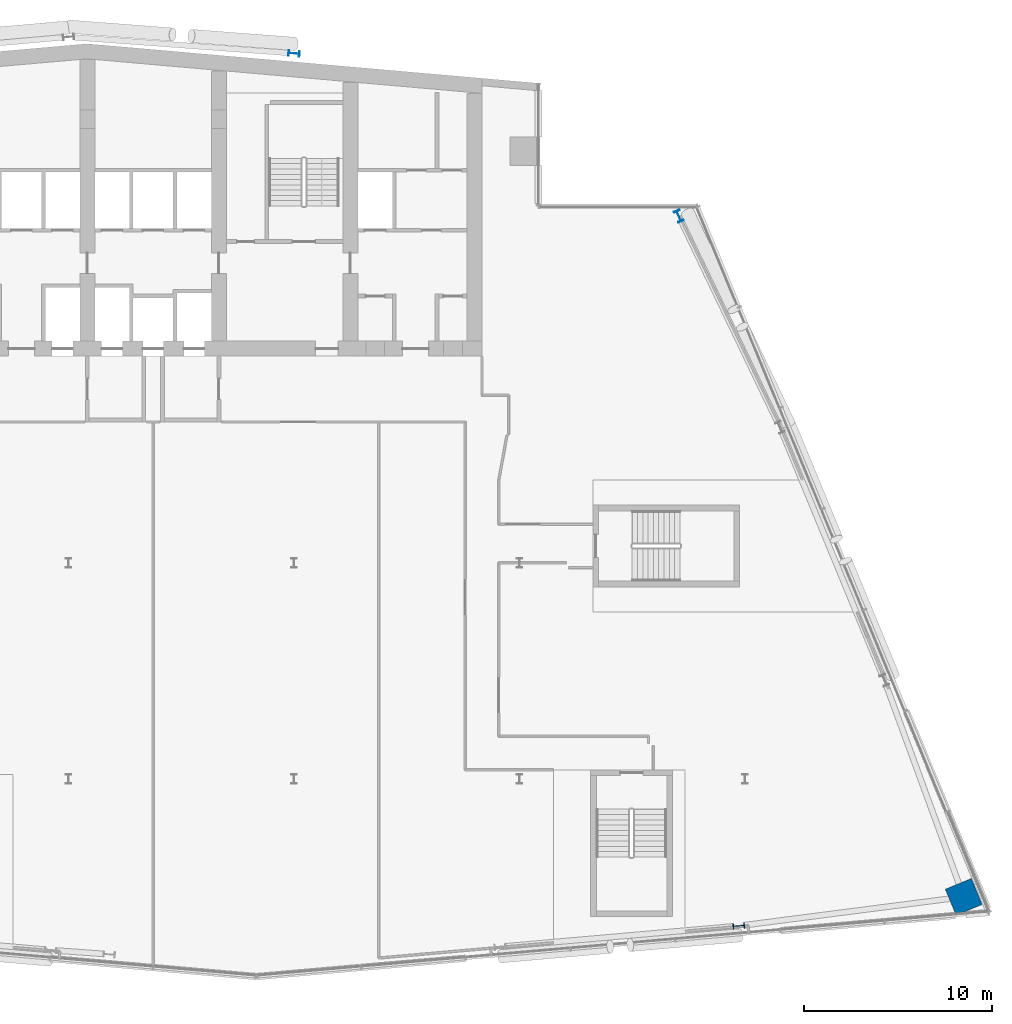
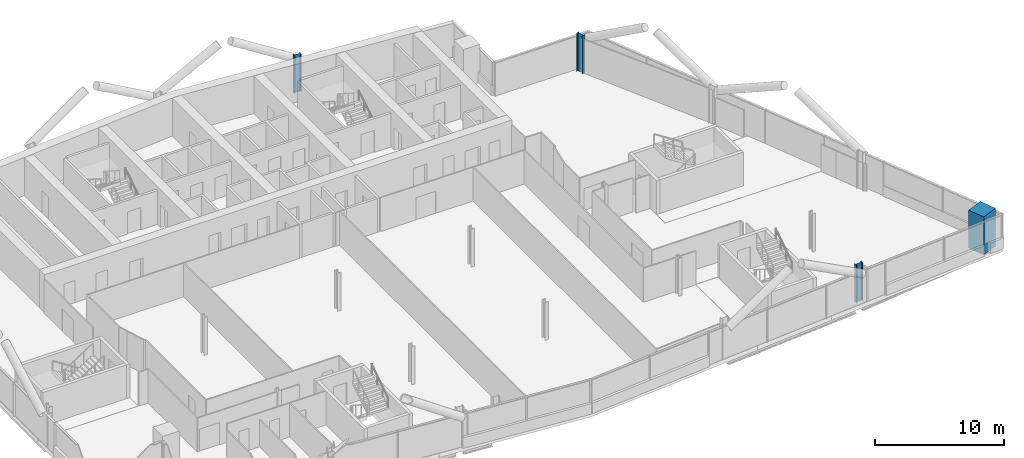
# One storey, part 4 of 26: 4 columns.
"""IFC4 building model written with IfcOpenShell, lengths in metres."""

import ifcopenshell
import ifcopenshell.guid

model = None  # the IFC model being written
_history = None  # IfcOwnerHistory: only IFC2X3 demands one
_inside = {}  # id of a spatial element -> (the spatial element, [elements in it])
_under = {}  # id of a project, library or spatial element -> (it, [spatial elements below it])
_declared = {}  # id of a project -> (the project, [libraries it declares])
_typed = {}  # id of a type object -> (the type object, [elements of that type])
_made_of = {}  # id of a material, layer set ... -> (it, [elements and type objects made of it])


def new_model(schema):
    """Start an empty IFC model of exactly this schema.

    Asked for "IFC4X3", IfcOpenShell would pick the latest addendum, in which some entities
    have other attributes; the version numbers below select the first issue.
    IFC2X3 requires an IfcOwnerHistory on every rooted entity: one is made here for all.
    """
    global model, _history
    if schema == "IFC4X3":
        model = ifcopenshell.file(schema_version=(4, 3, 0, 0))
    else:
        model = ifcopenshell.file(schema=schema)
    _inside.clear()
    _under.clear()
    _declared.clear()
    _typed.clear()
    _made_of.clear()
    _history = None
    if model.schema == "IFC2X3":
        org = make("IfcOrganization", Name="unknown")
        user = make(
            "IfcPersonAndOrganization",
            ThePerson=make("IfcPerson", FamilyName="unknown"),
            TheOrganization=org,
        )
        app = make(
            "IfcApplication",
            ApplicationDeveloper=org,
            Version="unknown",
            ApplicationFullName="unknown",
            ApplicationIdentifier="unknown",
        )
        _history = make(
            "IfcOwnerHistory",
            OwningUser=user,
            OwningApplication=app,
            ChangeAction="ADDED",
            CreationDate=0,
        )
    return model


def make(cls, **values):
    """One entity of the class cls with the attributes given. An attribute that is None is left unset."""
    return model.create_entity(
        cls, **{name: value for name, value in values.items() if value is not None}
    )


def rooted(cls, **values):
    """An entity with a GlobalId (a new one), such as an element, a storey or a relation."""
    return make(cls, GlobalId=ifcopenshell.guid.new(), OwnerHistory=_history, **values)


def si_unit(unit_type, name, prefix=None):
    """IfcSIUnit, for example si_unit("LENGTHUNIT", "METRE", prefix="MILLI")."""
    return make("IfcSIUnit", UnitType=unit_type, Prefix=prefix, Name=name)


def assignment(units):
    """IfcUnitAssignment: the units of a project."""
    return None if units is None else make("IfcUnitAssignment", Units=units)


def point(xyz):
    """IfcCartesianPoint."""
    return None if xyz is None else make("IfcCartesianPoint", Coordinates=xyz)


def direction(xyz):
    """IfcDirection."""
    return None if xyz is None else make("IfcDirection", DirectionRatios=xyz)


def frame(location, z_axis=None, x_axis=None):
    """IfcAxis2Placement3D, a coordinate frame: its origin and axes. An axis left out is left unset."""
    return make(
        "IfcAxis2Placement3D",
        Location=point(location),
        Axis=direction(z_axis),
        RefDirection=direction(x_axis),
    )


def frame_2d(location, x_axis=None):
    """IfcAxis2Placement2D, a coordinate frame in the plane: its origin and x axis."""
    return make(
        "IfcAxis2Placement2D", Location=point(location), RefDirection=direction(x_axis)
    )


def origin():
    """The frame at (0, 0, 0) with its axes left unset."""
    return frame((0.0, 0.0, 0.0))


def origin_2d():
    """The frame at (0, 0) in the plane with its x axis left unset."""
    return frame_2d((0.0, 0.0))


def place(relative_to, where):
    """IfcLocalPlacement: puts the frame where relative to a parent placement (None: the world)."""
    return make(
        "IfcLocalPlacement", PlacementRelTo=relative_to, RelativePlacement=where
    )


def context(
    kind, dimensions, precision=None, world=None, true_north=None, identifier=None
):
    """IfcGeometricRepresentationContext, for example the 3D "Model" context."""
    return make(
        "IfcGeometricRepresentationContext",
        ContextIdentifier=identifier,
        ContextType=kind,
        CoordinateSpaceDimension=dimensions,
        Precision=precision,
        WorldCoordinateSystem=world,
        TrueNorth=true_north,
    )


def subcontext(parent, identifier, kind, view, scale=None):
    """IfcGeometricRepresentationSubContext, for example "Body" below "Model"."""
    return make(
        "IfcGeometricRepresentationSubContext",
        ContextIdentifier=identifier,
        ContextType=kind,
        ParentContext=parent,
        TargetScale=scale,
        TargetView=view,
    )


def project(units=None, contexts=None):
    """IfcProject with its units and contexts."""
    return rooted(
        "IfcProject",
        Name="project",
        RepresentationContexts=contexts,
        UnitsInContext=assignment(units),
    )


def spatial(cls, under=None, at=None, **own):
    """A site, building, storey or space (cls), placed at a placement, below another one or the project."""
    s = rooted(cls, ObjectPlacement=at, **own)
    if under is not None:
        _under.setdefault(under.id(), (under, []))[1].append(s)
    return s


def profile(cls, at=None, kind="AREA", **sizes):
    """A parametric profile (cls). Its sizes go by their IFC names, for example OverallWidth=200.0."""
    return make(cls, ProfileType=kind, Position=at, **sizes)


def rectangle(**sizes):
    """IfcRectangleProfileDef."""
    return profile("IfcRectangleProfileDef", **sizes)


def i_section(**sizes):
    """IfcIShapeProfileDef."""
    return profile("IfcIShapeProfileDef", **sizes)


def extrude(swept, where, along, depth):
    """IfcExtrudedAreaSolid: the profile swept, set in the frame where, extruded along a direction by depth."""
    return make(
        "IfcExtrudedAreaSolid",
        SweptArea=swept,
        Position=where,
        ExtrudedDirection=direction(along),
        Depth=depth,
    )


def shape(context_of_items, identifier, shape_type, items):
    """IfcShapeRepresentation: the items that make up one representation, for example the "Body"."""
    return make(
        "IfcShapeRepresentation",
        ContextOfItems=context_of_items,
        RepresentationIdentifier=identifier,
        RepresentationType=shape_type,
        Items=items,
    )


def material(Name=None, Category=None):
    """IfcMaterial."""
    return make("IfcMaterial", Name=Name, Category=Category)


def material_profile(
    of_material, cross_section, Name=None, Category=None, Priority=None
):
    """IfcMaterialProfile: a cross section and its material."""
    return make(
        "IfcMaterialProfile",
        Name=Name,
        Material=of_material,
        Profile=cross_section,
        Priority=Priority,
        Category=Category,
    )


def profile_set(profiles, Name=None, composite=None):
    """IfcMaterialProfileSet."""
    return make(
        "IfcMaterialProfileSet",
        Name=Name,
        MaterialProfiles=profiles,
        CompositeProfile=composite,
    )


def made_of(thing, what):
    """Note that an element or type object is made of a material, layer set ...; save() writes the relation."""
    if what is not None:
        _made_of.setdefault(what.id(), (what, []))[1].append(thing)
    return thing


def type_object(cls, material=None, **own):
    """A type object (cls), such as IfcWallType, which elements share."""
    return made_of(rooted(cls, **own), material)


def element(
    cls,
    number,
    at=None,
    inside=None,
    cuts=None,
    type_object=None,
    material=None,
    context=None,
    identifier="Body",
    shape_type=None,
    held_by="IfcProductDefinitionShape",
    body=None,
    shapes=None,
    **own,
):
    """One element of the class cls, such as IfcWall. Its Tag is "e" and its number.

    at: its placement. inside: the storey or other place that contains it. cuts: it is an
    opening in that element (IfcRelVoidsElement). A single representation is given by context,
    identifier, shape_type and body (its items); several are given by shapes. held_by: the class
    of the entity that holds the representations. save() writes the other relations.
    """
    e = rooted(cls, Tag="e%d" % number, ObjectPlacement=at, **own)
    if body is not None:
        shapes = [shape(context, identifier, shape_type, body)]
    if shapes is not None:
        e.Representation = make(held_by, Representations=shapes)
    if inside is not None:
        _inside.setdefault(inside.id(), (inside, []))[1].append(e)
    if cuts is not None:
        rooted(
            "IfcRelVoidsElement", RelatingBuildingElement=cuts, RelatedOpeningElement=e
        )
    if type_object is not None:
        _typed.setdefault(type_object.id(), (type_object, []))[1].append(e)
    return made_of(e, material)


def aggregate(whole, parts):
    """IfcRelAggregates: a whole, such as a stair, and the parts it consists of."""
    return rooted("IfcRelAggregates", RelatingObject=whole, RelatedObjects=parts)


def save(model, path):
    """Write the relations noted so far, then the file.

    IfcRelAggregates (storeys below a building ...), IfcRelContainedInSpatialStructure (elements
    in a storey), IfcRelDefinesByType, IfcRelAssociatesMaterial and IfcRelDeclares: one each for
    every whole, place, type object, material and project.
    """
    for whole, parts in _under.values():
        aggregate(whole, parts)
    for where, things in _inside.values():
        rooted(
            "IfcRelContainedInSpatialStructure",
            RelatedElements=things,
            RelatingStructure=where,
        )
    for kind, things in _typed.values():
        rooted("IfcRelDefinesByType", RelatedObjects=things, RelatingType=kind)
    for what, things in _made_of.values():
        rooted("IfcRelAssociatesMaterial", RelatedObjects=things, RelatingMaterial=what)
    for by, libraries in _declared.values():
        rooted("IfcRelDeclares", RelatingContext=by, RelatedDefinitions=libraries)
    model.write(path)


model = new_model("IFC4")

# Units and contexts
model_context = context("Model", 3, precision=1e-05, world=origin(), true_north=direction((0.0, 1.0)))
body_context = subcontext(model_context, "Body", "Model", "MODEL_VIEW")
ifc_project = project(units=[si_unit("LENGTHUNIT", "METRE"), si_unit("AREAUNIT", "SQUARE_METRE"), si_unit("VOLUMEUNIT", "CUBIC_METRE"), si_unit("PLANEANGLEUNIT", "RADIAN"), si_unit("MASSUNIT", "GRAM", prefix="KILO")], contexts=[model_context])

# Site, building, storey
site_placement = place(None, origin())
site = spatial("IfcSite", under=ifc_project, at=site_placement, CompositionType="ELEMENT")
building_placement = place(site_placement, origin())
building = spatial("IfcBuilding", under=site, at=building_placement, Name="Wharfspan Tower", CompositionType="ELEMENT")
storey_placement = place(building_placement, frame((0.0, 0.0, 184.300049)))
storey = spatial("IfcBuildingStorey", under=building, at=storey_placement, Name="L45", CompositionType="ELEMENT", Elevation=184.300049)

# Columns
ifc_material_1 = material(Name="Steel S355J2", Category="steel")
ifc_material_profile_1 = material_profile(ifc_material_1, i_section(OverallWidth=0.300049, OverallDepth=0.600098, WebThickness=0.015381, FlangeThickness=0.030029, FilletRadius=0.0271, at=origin_2d()))
ifc_profile_set_1 = profile_set([ifc_material_profile_1], Name="Steel S355J2")
column_type_1 = type_object("IfcColumnType", Name="Column HEB 600", PredefinedType="COLUMN", material=ifc_profile_set_1)
column_1_placement = place(storey_placement, frame((48.0, 50.112305, 0.0), z_axis=(0.0, 0.0, 1.0), x_axis=(0.087156, 0.996198, 0.0)))
element("IfcColumn", 1, at=column_1_placement, inside=storey, type_object=column_type_1, Name="Rear column R.3 L45", PredefinedType="COLUMN", context=body_context, shape_type="SweptSolid", body=[
    extrude(i_section(OverallWidth=0.300049, OverallDepth=0.600098, WebThickness=0.015381, FlangeThickness=0.030029, FilletRadius=0.0271, at=origin_2d()), origin(), (0.0, 0.0, 1.0), 3.599854),
])
ifc_material_profile_2 = material_profile(ifc_material_1, i_section(OverallWidth=0.304932, OverallDepth=0.620117, WebThickness=0.020996, FlangeThickness=0.040039, FilletRadius=0.0271, at=origin_2d()))
ifc_profile_set_2 = profile_set([ifc_material_profile_2], Name="Steel S355J2")
column_type_2 = type_object("IfcColumnType", Name="Column HEM 600", PredefinedType="COLUMN", material=ifc_profile_set_2)
for number, where, z_axis, x_axis, name in (
    (2, (71.661865, 3.684814, 0.0), (0.0, 0.0, 1.0), (0.087156, -0.996198, 0.0), "Perimeter column PS2.2 L45"),
    (3, (68.471924, 41.450439, 0.0), (0.0, 0.0, 1.0), (0.924325, 0.381602, 0.0), "Perimeter column PE.3 L45"),
):
    element("IfcColumn", number, at=place(storey_placement, frame(where, z_axis=z_axis, x_axis=x_axis)), inside=storey, type_object=column_type_2, Name=name, PredefinedType="COLUMN", context=body_context, shape_type="SweptSolid", body=[
        extrude(i_section(OverallWidth=0.304932, OverallDepth=0.620117, WebThickness=0.020996, FlangeThickness=0.040039, FilletRadius=0.0271, at=origin_2d()), origin(), (0.0, 0.0, 1.0), 3.599854),
    ])
ifc_material_2 = material(Name="Concrete C60/75", Category="concrete")
ifc_material_profile_3 = material_profile(ifc_material_2, rectangle(XDim=1.5, YDim=1.5, at=origin_2d()))
ifc_profile_set_3 = profile_set([ifc_material_profile_3], Name="Concrete C60/75")
column_type_3 = type_object("IfcColumnType", Name="Mega column 1500 C60/75", PredefinedType="COLUMN", material=ifc_profile_set_3)
column_2_placement = place(storey_placement, frame((83.632568, 5.230713, 0.0), z_axis=(0.0, 0.0, 1.0), x_axis=(-0.381602, 0.924325, 0.0)))
element("IfcColumn", 4, at=column_2_placement, inside=storey, type_object=column_type_3, Name="Mega column MC4 L45", PredefinedType="COLUMN", context=body_context, shape_type="SweptSolid", body=[
    extrude(rectangle(XDim=1.5, YDim=1.5, at=origin_2d()), origin(), (0.0, 0.0, 1.0), 3.599854),
])

save(model, "model.ifc")
